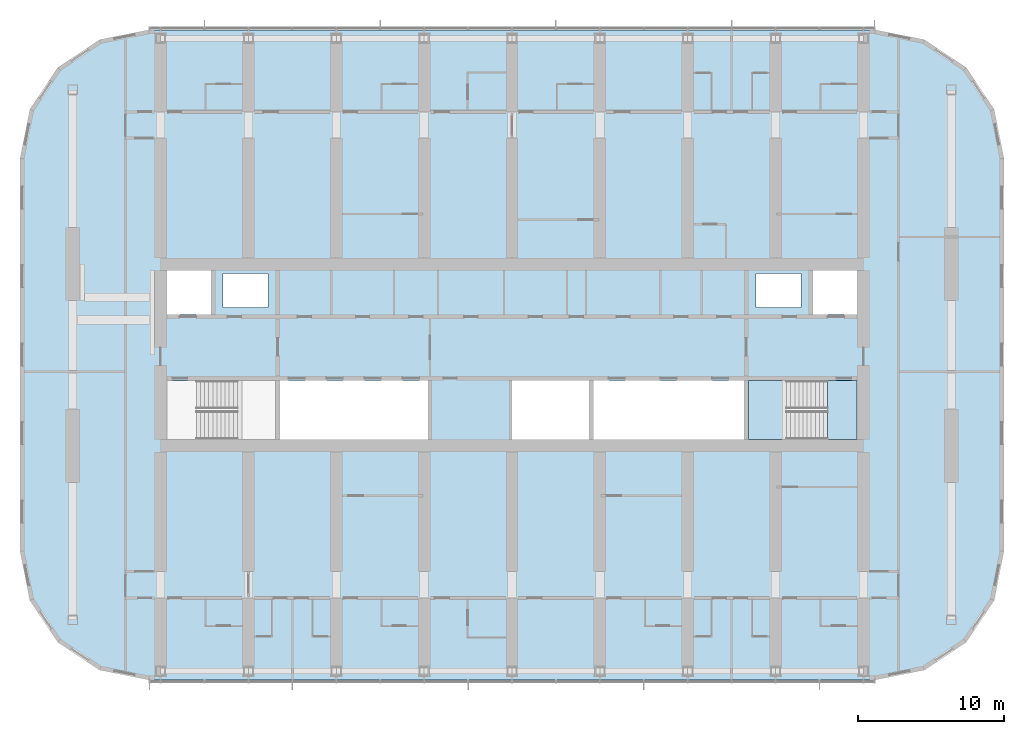
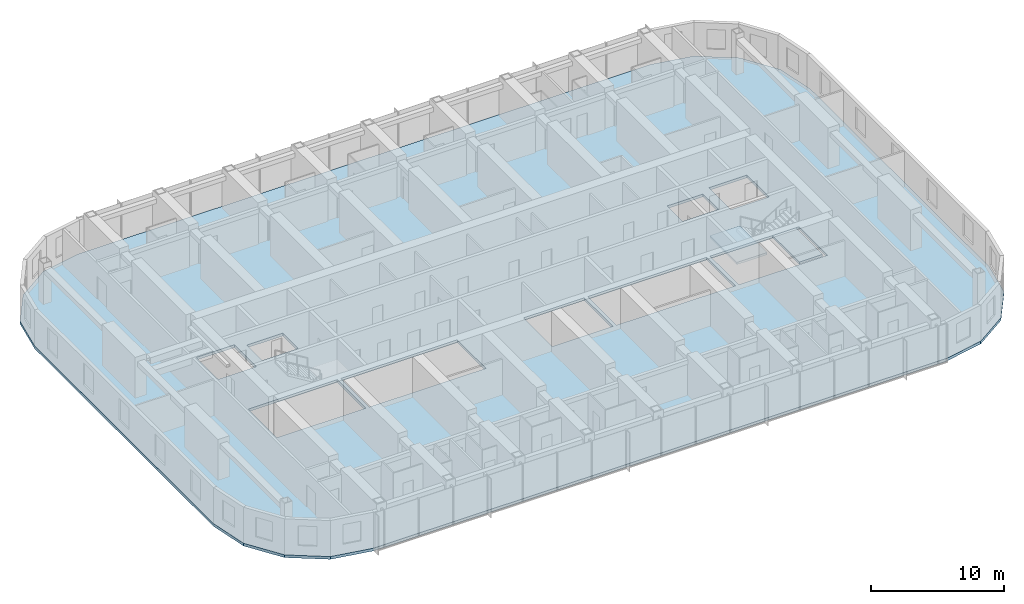
# One storey, part 8 of 22: 3 slabs, 1 element without a shape of its own.
"""IFC4 building model written with IfcOpenShell, lengths in metres."""

from ifc_helpers import new_model, si_unit, direction, frame, origin, place, context, subcontext, project, spatial, polyline, outline, extrude, material, layer, layer_set, type_object, element, aggregate, save


model = new_model("IFC4")

# Units and contexts
model_context = context("Model", 3, precision=1e-05, world=origin(), true_north=direction((0.0, 1.0)))
body_context = subcontext(model_context, "Body", "Model", "MODEL_VIEW")
ifc_project = project(units=[si_unit("LENGTHUNIT", "METRE"), si_unit("AREAUNIT", "SQUARE_METRE"), si_unit("VOLUMEUNIT", "CUBIC_METRE"), si_unit("PLANEANGLEUNIT", "RADIAN"), si_unit("MASSUNIT", "GRAM", prefix="KILO")], contexts=[model_context])

# Site, building, storey
site_placement = place(None, origin())
site = spatial("IfcSite", under=ifc_project, at=site_placement, CompositionType="ELEMENT")
building_placement = place(site_placement, origin())
building = spatial("IfcBuilding", under=site, at=building_placement, Name="Orbita Commons", CompositionType="ELEMENT")
storey_placement = place(building_placement, frame((0.0, 0.0, 189.85009765625)))
storey = spatial("IfcBuildingStorey", under=building, at=storey_placement, Name="L47", CompositionType="ELEMENT", Elevation=189.85009765625)

# Slab
ifc_material_1 = material(Name="Concrete C40/50", Category="concrete")
ifc_layer_1 = layer(ifc_material_1, 0.25)
ifc_layer_set_1 = layer_set([ifc_layer_1], Name="Concrete C40/50")
slab_type_1 = type_object("IfcSlabType", Name="Floor slab 250", PredefinedType="FLOOR", material=ifc_layer_set_1)
slab_1_placement = place(storey_placement, frame((0.0, 0.0, -0.25)))
element("IfcSlab", 1, at=slab_1_placement, inside=storey, type_object=slab_type_1, Name="Floor slab L47", PredefinedType="FLOOR", context=body_context, shape_type="SweptSolid", body=[
    extrude(outline(polyline([(66.800048828125, 9.800048828125), (70.167724609375, 10.469970703125), (73.0224609375, 12.37744140625), (74.93017578125, 15.232421875), (75.60009765625, 18.60009765625), (75.60009765625, 45.39990234375), (74.93017578125, 48.767578125), (73.0224609375, 51.62255859375), (70.167724609375, 53.530029296875), (66.800048828125, 54.199951171875), (17.199951171875, 54.199951171875), (13.832275390625, 53.530029296875), (10.9775390625, 51.62255859375), (9.06982421875, 48.767578125), (8.39990234375, 45.39990234375), (8.39990234375, 18.60009765625), (9.06982421875, 15.232421875), (10.9775390625, 12.37744140625), (13.832275390625, 10.469970703125), (17.199951171875, 9.800048828125), (66.800048828125, 9.800048828125)]), holes=[polyline([(18.14990234375, 25.949951171875), (25.85009765625, 25.949951171875), (25.85009765625, 30.25), (18.14990234375, 30.25), (18.14990234375, 25.949951171875)]), polyline([(58.14990234375, 25.949951171875), (65.85009765625, 25.949951171875), (65.85009765625, 30.25), (58.14990234375, 30.25), (58.14990234375, 25.949951171875)]), polyline([(18.14990234375, 34.75), (21.449951171875, 34.75), (21.449951171875, 38.050048828125), (18.14990234375, 38.050048828125), (18.14990234375, 34.75)]), polyline([(62.550048828125, 34.75), (65.85009765625, 34.75), (65.85009765625, 38.050048828125), (62.550048828125, 38.050048828125), (62.550048828125, 34.75)]), polyline([(22.25, 35.25), (25.35009765625, 35.25), (25.35009765625, 37.550048828125), (22.25, 37.550048828125), (22.25, 35.25)]), polyline([(58.64990234375, 35.25), (61.75, 35.25), (61.75, 37.550048828125), (58.64990234375, 37.550048828125), (58.64990234375, 35.25)]), polyline([(26.14990234375, 25.949951171875), (36.25, 25.949951171875), (36.25, 30.25), (26.14990234375, 30.25), (26.14990234375, 25.949951171875)]), polyline([(42.0, 25.949951171875), (47.25, 25.949951171875), (47.25, 30.25), (42.0, 30.25), (42.0, 25.949951171875)]), polyline([(47.550048828125, 25.949951171875), (57.85009765625, 25.949951171875), (57.85009765625, 30.25), (47.550048828125, 30.25), (47.550048828125, 25.949951171875)])]), origin(), (0.0, 0.0, 1.0), 0.25),
])

# Stair, slabs
ifc_material_2 = material(Name="Precast concrete C40/50", Category="concrete")
stair_type = type_object("IfcStairType", Name="Exit stair S2 2 flights 11 risers 170", PredefinedType="HALF_TURN_STAIR", material=ifc_material_2)
stair_placement = place(storey_placement, origin())
stair = element("IfcStair", 2, at=stair_placement, inside=storey, type_object=stair_type, Name="Exit stair S2 L47", PredefinedType="HALF_TURN_STAIR")
ifc_material_3 = material(Name="Concrete C40/50", Category="concrete")
ifc_layer_2 = layer(ifc_material_3, 0.199951171875)
ifc_layer_set_2 = layer_set([ifc_layer_2], Name="Concrete C40/50")
slab_type_2 = type_object("IfcSlabType", Name="Stair landing 200", PredefinedType="LANDING", material=ifc_layer_set_2)
slab_2_placement = place(storey_placement, frame((0.0, 0.0, -0.2001953125)))
slab_2 = element("IfcSlab", 3, at=slab_2_placement, type_object=slab_type_2, Name="S2 landing 1", PredefinedType="LANDING", context=body_context, shape_type="SweptSolid", body=[
    extrude(outline(polyline([(63.550048828125, 26.22509765625), (65.574951171875, 26.22509765625), (65.574951171875, 30.25), (63.550048828125, 30.25), (63.550048828125, 26.22509765625)])), origin(), (0.0, 0.0, 1.0), 0.2001953125),
])
slab_3_placement = place(storey_placement, frame((0.0, 0.0, 1.6748046875)))
slab_3 = element("IfcSlab", 4, at=slab_3_placement, type_object=slab_type_2, Name="S2 landing 2", PredefinedType="LANDING", context=body_context, shape_type="SweptSolid", body=[
    extrude(outline(polyline([(58.135009765625, 26.2099609375), (60.75, 26.2099609375), (60.75, 30.264892578125), (58.135009765625, 30.264892578125), (58.135009765625, 26.2099609375)])), origin(), (0.0, 0.0, 1.0), 0.2001953125),
])
aggregate(stair, [slab_2, slab_3])

save(model, "model.ifc")
